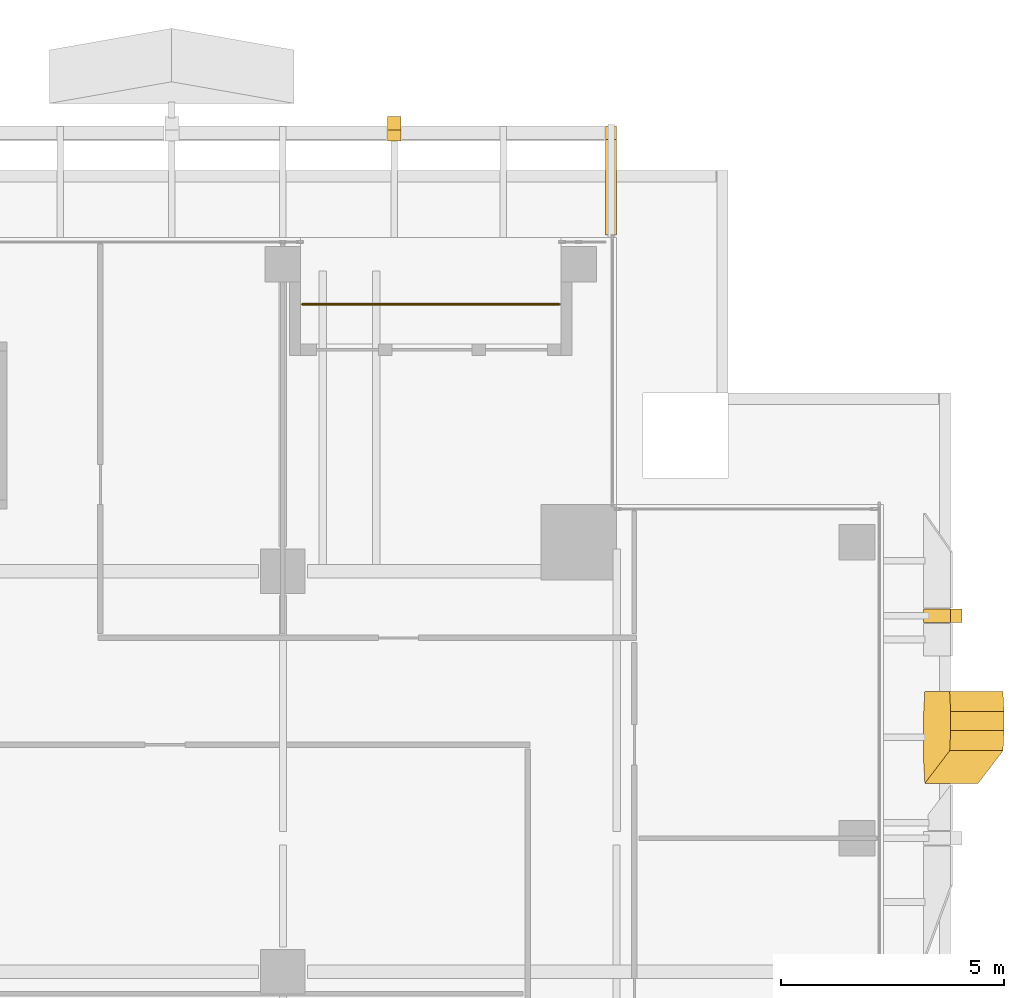
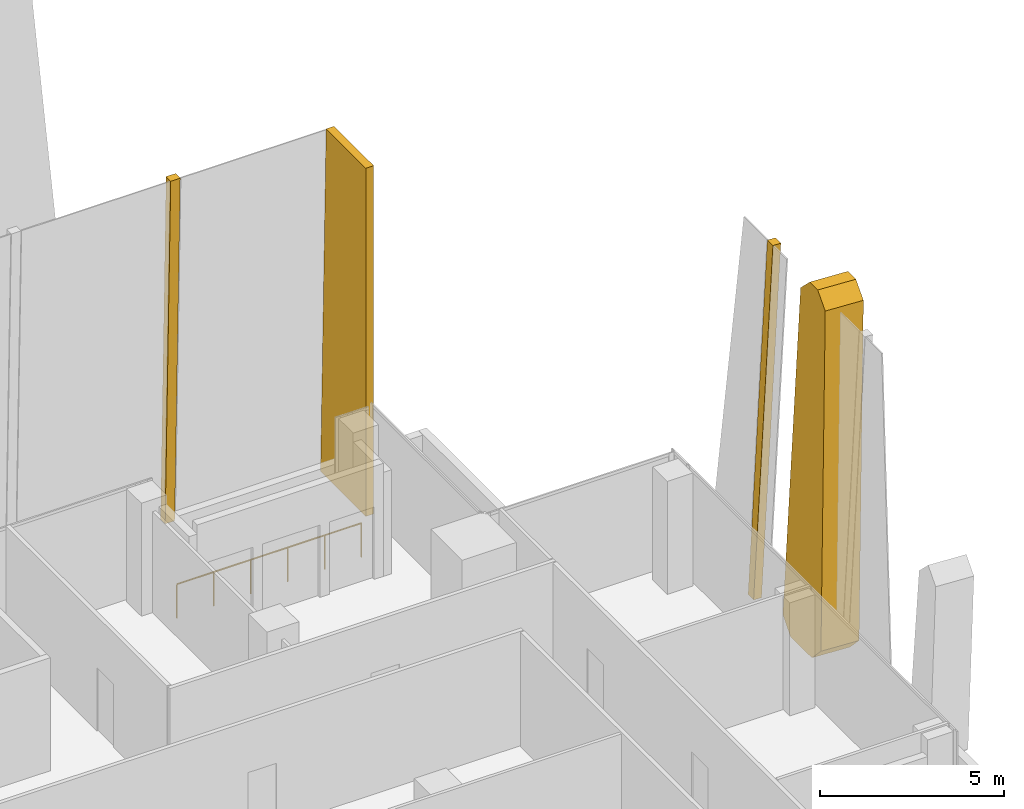
# One storey, part 32 of 32: 4 coverings, 1 railing.
"""IFC4 building model written with IfcOpenShell, lengths in metres."""

from ifc_helpers import new_model, si_unit, direction, frame, origin, origin_2d, place, context, subcontext, project, spatial, polyline, circle, outline, extrude, source, transform, mapped, material, layer, layer_set, type_object, element, save


model = new_model("IFC4")

# Units and contexts
model_context = context("Model", 3, precision=1e-05, world=origin(), true_north=direction((0.0, 1.0)))
body_context = subcontext(model_context, "Body", "Model", "MODEL_VIEW")
ifc_project = project(units=[si_unit("LENGTHUNIT", "METRE"), si_unit("AREAUNIT", "SQUARE_METRE"), si_unit("VOLUMEUNIT", "CUBIC_METRE"), si_unit("PLANEANGLEUNIT", "RADIAN"), si_unit("MASSUNIT", "GRAM", prefix="KILO")], contexts=[model_context])

# Site, building, storey
site_placement = place(None, origin())
site = spatial("IfcSite", under=ifc_project, at=site_placement, CompositionType="ELEMENT")
building_placement = place(site_placement, origin())
building = spatial("IfcBuilding", under=site, at=building_placement, Name="Khomas Fold Tower", CompositionType="ELEMENT")
storey_placement = place(building_placement, frame((0.0, 0.0, 282.199951171875)))
storey = spatial("IfcBuildingStorey", under=building, at=storey_placement, Name="L63", CompositionType="ELEMENT", Elevation=282.199951171875)

# Coverings
ifc_material_1 = material(Name="Natural stone cladding", Category="masonry")
ifc_layer_1 = layer(ifc_material_1, 0.25)
ifc_layer_set_1 = layer_set([ifc_layer_1], Name="Natural stone cladding")
covering_type_1 = type_object("IfcCoveringType", Name="SK-Karibib marble stone mullion", PredefinedType="CLADDING", material=ifc_layer_set_1)
covering_1_placement = place(storey_placement, frame((49.50537109375, 39.64990234375, 11.550048828125), z_axis=(-0.99862882819, 0.0, 0.052349436554), x_axis=(-0.052349436554, 0.0, -0.99862882819)))
element("IfcCovering", 1, at=covering_1_placement, inside=storey, type_object=covering_type_1, Name="OUTER SKIN mullion L63 EM104-9", PredefinedType="CLADDING", context=body_context, shape_type="SweptSolid", body=[
    extrude(outline(polyline([(0.0, 0.0), (11.565907674683308, 0.0), (11.565907674683308, 0.2998046875), (0.0, 0.2998046875), (0.0, 0.0)])), origin(), (0.0, 0.0, -1.0), 0.25),
])
covering_2_placement = place(storey_placement, frame((36.85009765625, 50.718017578125, 0.006591796875), z_axis=(0.0, 0.999657783631, 0.026159427089), x_axis=(1.0, 0.0, 0.0)))
element("IfcCovering", 2, at=covering_2_placement, inside=storey, type_object=covering_type_1, Name="OUTER SKIN mullion L63 N10", PredefinedType="CLADDING", context=body_context, shape_type="SweptSolid", body=[
    extrude(outline(polyline([(0.0, 0.0), (0.2998046875, 0.0), (0.2998046875, -11.554002797007572), (0.0, -11.554002797007572), (0.0, 0.0)])), origin(), (0.0, 0.0, -1.0), 0.25),
])
covering_3_placement = place(storey_placement, frame((42.0, 48.050048828125, 0.0), z_axis=(1.0, 0.0, 0.0), x_axis=(0.0, 1.0, 0.0)))
element("IfcCovering", 3, at=covering_3_placement, inside=storey, type_object=covering_type_1, Name="OUTER SKIN return L63 N2", PredefinedType="CLADDING", context=body_context, shape_type="SweptSolid", body=[
    extrude(outline(polyline([(0.0, 0.0), (2.458251953125, 0.0), (2.15576171875, 11.550048828125), (0.0, 11.550048828125), (0.0, 0.0)])), origin(), (0.0, 0.0, -1.0), 0.25),
])
ifc_material_2 = material(Name="Natural stone cladding", Category="masonry")
ifc_layer_2 = layer(ifc_material_2, 1.199951171875)
ifc_layer_set_2 = layer_set([ifc_layer_2], Name="Natural stone cladding")
covering_type_2 = type_object("IfcCoveringType", Name="SK-Karibib marble stone panel", PredefinedType="CLADDING", material=ifc_layer_set_2)
covering_4_placement = place(storey_placement, frame((48.92529296875, 35.734375, 0.48095703125), z_axis=(-0.998628870957, -5.1979494e-05, 0.052348594919), x_axis=(0.052222099413, 0.068494269082, 0.996283788604)))
element("IfcCovering", 4, at=covering_4_placement, inside=storey, type_object=covering_type_2, Name="OUTER SKIN leaf L63 ES12-3", PredefinedType="CLADDING", context=body_context, shape_type="SweptSolid", body=[
    extrude(outline(polyline([(0.0, 0.0), (10.689620473323645, 1.1102230246251565e-16), (11.139151775770689, 0.419168704388285), (11.16891735169023, 0.8527184322007635), (10.750220665136956, 1.3324746346696716), (0.11050693722081407, 2.0629495544974614), (-0.36982790261303716, 1.644916826226596), (-0.4497434572869075, 0.4809088772289358), (0.0, 0.0)])), origin(), (0.0, 0.0, -1.0), 1.199951171875),
])

# Railing
ifc_material_3 = material(Name="Powder-coated steel", Category="steel")
railing_type = type_object("IfcRailingType", Name="Balcony guard", PredefinedType="GUARDRAIL", material=ifc_material_3)
shared_shape = source(origin(), body_context, "Body", "SweptSolid", [
    extrude(circle(Radius=0.02490234375, at=origin_2d()), frame((0.0, 0.0, 1.125), z_axis=(1.0, 0.0, 0.0), x_axis=(0.0, 1.0, 0.0)), (0.0, 0.0, 1.0), 5.7900390625),
    extrude(circle(Radius=0.02001953125, at=origin_2d()), origin(), (0.0, 0.0, 1.0), 1.099853515625),
    extrude(circle(Radius=0.02001953125, at=origin_2d()), frame((1.157958984375, 0.0, 0.0)), (0.0, 0.0, 1.0), 1.099853515625),
    extrude(circle(Radius=0.02001953125, at=origin_2d()), frame((2.31591796875, 0.0, 0.0)), (0.0, 0.0, 1.0), 1.099853515625),
    extrude(circle(Radius=0.02001953125, at=origin_2d()), frame((3.47412109375, 0.0, 0.0)), (0.0, 0.0, 1.0), 1.099853515625),
    extrude(circle(Radius=0.02001953125, at=origin_2d()), frame((4.632080078125, 0.0, 0.0)), (0.0, 0.0, 1.0), 1.099853515625),
    extrude(circle(Radius=0.02001953125, at=origin_2d()), frame((5.7900390625, 0.0, 0.0)), (0.0, 0.0, 1.0), 1.099853515625),
])
railing_placement = place(storey_placement, frame((34.929931640625, 46.5, -0.044921875)))
element("IfcRailing", 5, at=railing_placement, inside=storey, type_object=railing_type, Name="Balcony guard BAL-L63-N4", PredefinedType="GUARDRAIL", context=body_context, shape_type="MappedRepresentation", body=[
    mapped(shared_shape, transform((0.0, 0.0, 0.0))),
])

save(model, "model.ifc")
